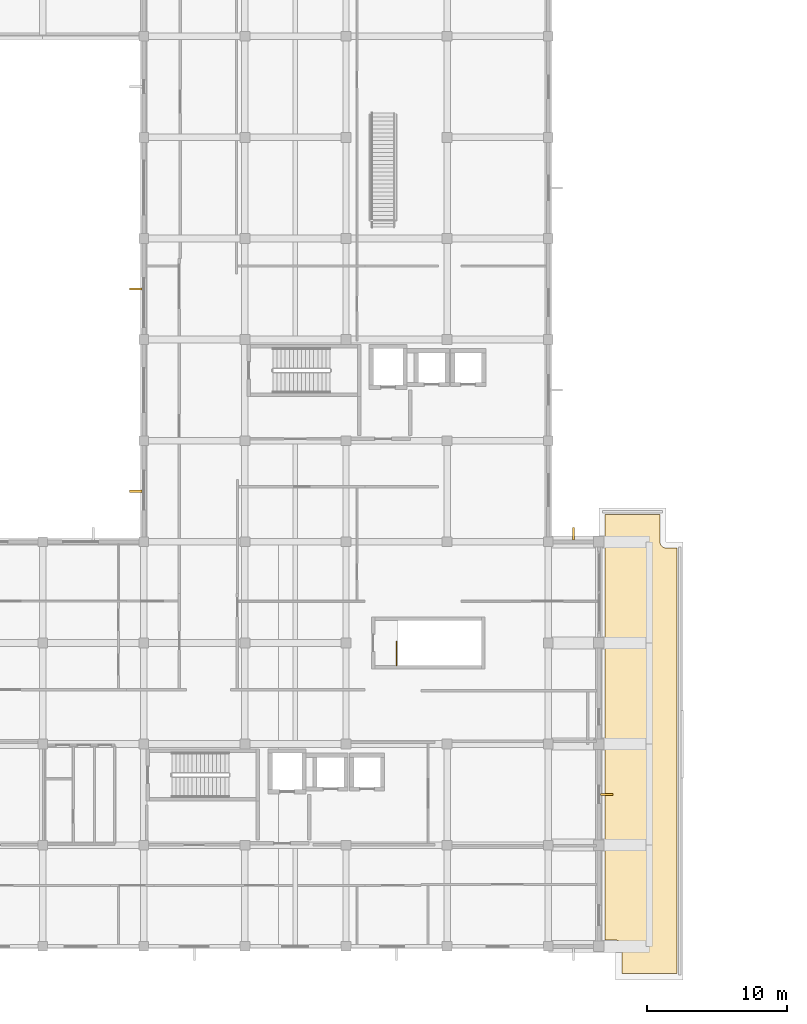
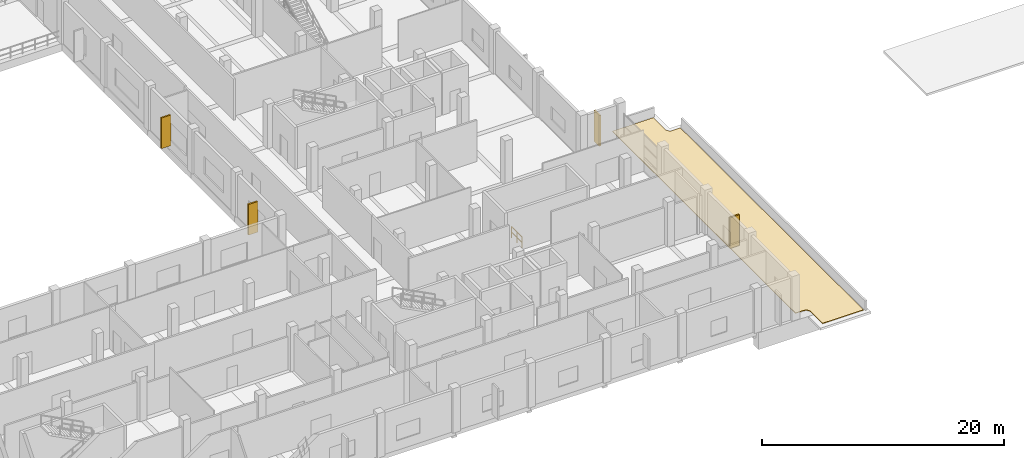
# One storey, part 22 of 24: 4 shading devices, 1 covering, 1 railing.
"""IFC4 building model written with IfcOpenShell, lengths in metres."""

from ifc_helpers import new_model, si_unit, direction, frame, origin, origin_2d, place, context, subcontext, project, spatial, polyline, rectangle, circle, outline, extrude, material, layer, layer_set, type_object, element, save


model = new_model("IFC4")

# Units and contexts
model_context = context("Model", 3, precision=1e-05, world=origin(), true_north=direction((0.0, 1.0)))
body_context = subcontext(model_context, "Body", "Model", "MODEL_VIEW")
ifc_project = project(units=[si_unit("LENGTHUNIT", "METRE"), si_unit("AREAUNIT", "SQUARE_METRE"), si_unit("VOLUMEUNIT", "CUBIC_METRE"), si_unit("PLANEANGLEUNIT", "RADIAN"), si_unit("MASSUNIT", "GRAM", prefix="KILO")], contexts=[model_context])

# Site, building, storey
site_placement = place(None, origin())
site = spatial("IfcSite", under=ifc_project, at=site_placement, CompositionType="ELEMENT")
building_placement = place(site_placement, origin())
building = spatial("IfcBuilding", under=site, at=building_placement, Name="Seraya Terrace Polytechnic", CompositionType="ELEMENT")
storey_placement = place(building_placement, frame((0.0, 0.0, 18.89990234375)))
storey = spatial("IfcBuildingStorey", under=building, at=storey_placement, Name="L04", CompositionType="ELEMENT", Elevation=18.89990234375)

# Shading devices
ifc_material_1 = material(Name="Precast concrete C40/50", Category="concrete")
shading_device_type = type_object("IfcShadingDeviceType", Name="BS-F1", PredefinedType="JALOUSIE", material=ifc_material_1)
for number, where, z_axis, x_axis, name in (
    (1, (112.169921875, 10.800048828125, 0.449951171875), (0.0, 0.0, 1.0), (1.0, 0.0, 0.0), "Precast concrete brise-soleil fin L04"),
    (2, (78.6298828125, 32.39990234375, 0.449951171875), (0.0, 0.0, 1.0), (-1.0, 0.0, 0.0), "Precast concrete brise-soleil fin L04"),
    (3, (78.6298828125, 46.800048828125, 0.449951171875), (0.0, 0.0, 1.0), (-1.0, 0.0, 0.0), "Precast concrete brise-soleil fin L04"),
    (4, (109.800048828125, 29.3701171875, 0.449951171875), (0.0, 0.0, 1.0), (0.0, 1.0, 0.0), "Precast concrete brise-soleil fin L04"),
):
    element("IfcShadingDevice", number, at=place(storey_placement, frame(where, z_axis=z_axis, x_axis=x_axis)), inside=storey, type_object=shading_device_type, Name=name, PredefinedType="JALOUSIE", context=body_context, shape_type="SweptSolid", body=[
        extrude(rectangle(XDim=0.89990234375, YDim=0.14990234375, at=origin_2d()), origin(), (0.0, 0.0, 1.0), 3.10009765625),
    ])

# Railing
ifc_material_2 = material(Name="Steel S355J2", Category="steel")
railing_type = type_object("IfcRailingType", Name="GR-02", PredefinedType="GUARDRAIL", material=ifc_material_2)
railing_placement = place(storey_placement, frame((97.199951171875, 20.0, 0.0)))
element("IfcRailing", 5, at=railing_placement, inside=storey, type_object=railing_type, Name="L04 ST-05 top well guard 1", PredefinedType="GUARDRAIL", context=body_context, shape_type="SweptSolid", body=[
    extrude(circle(Radius=0.02392578125, at=origin_2d()), frame((0.0, 0.0, 1.10595703125), z_axis=(0.0, 1.0, 0.0), x_axis=(-1.0, 0.0, 0.0)), (0.0, 0.0, 1.0), 1.699951171875),
    extrude(circle(Radius=0.02392578125, at=origin_2d()), frame((0.0, 0.0, 0.550048828125), z_axis=(0.0, 1.0, 0.0), x_axis=(-1.0, 0.0, 0.0)), (0.0, 0.0, 1.0), 1.699951171875),
    extrude(circle(Radius=0.02099609375, at=origin_2d()), origin(), (0.0, 0.0, 1.0), 1.081787109375),
    extrude(circle(Radius=0.02099609375, at=origin_2d()), frame((0.0, 0.85009765625, 0.0)), (0.0, 0.0, 1.0), 1.081787109375),
    extrude(circle(Radius=0.02099609375, at=origin_2d()), frame((0.0, 1.699951171875, 0.0)), (0.0, 0.0, 1.0), 1.081787109375),
])

# Covering
ifc_material_3 = material(Name="Insulated TPO waterproof roofing membrane")
ifc_layer = layer(ifc_material_3, 0.06005859375, Name="RF-C1")
ifc_layer_set = layer_set([ifc_layer], Name="Insulated TPO waterproof roofing membrane")
covering_type = type_object("IfcCoveringType", Name="RF-C1", PredefinedType="ROOFING", material=ifc_layer_set)
covering_placement = place(storey_placement, origin())
element("IfcCovering", 6, at=covering_placement, inside=storey, type_object=covering_type, Name="Waterproof TPO roof covering ROOF-L04-SE", PredefinedType="ROOFING", context=body_context, shape_type="SweptSolid", body=[
    extrude(outline(polyline([(113.25, 0.0), (113.230712890625, 0.130615234375), (113.17431640625, 0.25), (113.08544921875, 0.347900390625), (112.97216796875, 0.415771484375), (112.800048828125, 0.449951171875), (112.050048828125, 0.449951171875), (112.050048828125, 30.75), (115.949951171875, 30.75), (115.949951171875, 28.800048828125), (115.95849609375, 28.712158203125), (116.003173828125, 28.587890625), (116.052001953125, 28.514404296875), (116.14990234375, 28.42578125), (116.312255859375, 28.358642578125), (117.14990234375, 28.35009765625), (117.14990234375, -1.949951171875), (113.25, -1.949951171875), (113.25, 0.0)])), origin(), (0.0, 0.0, 1.0), 0.06005859375),
])

save(model, "model.ifc")
